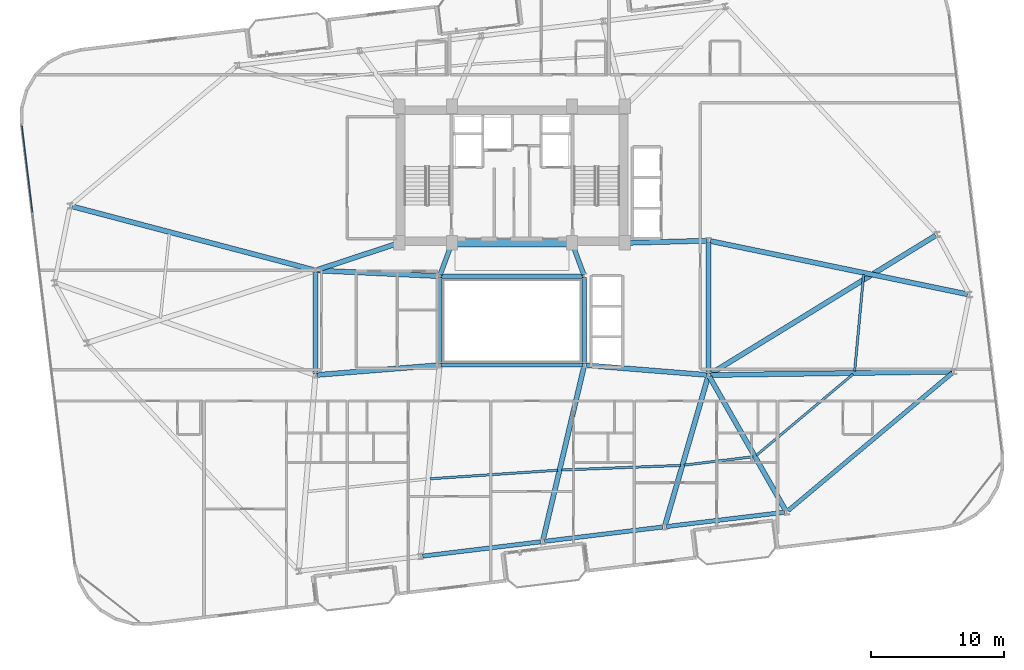
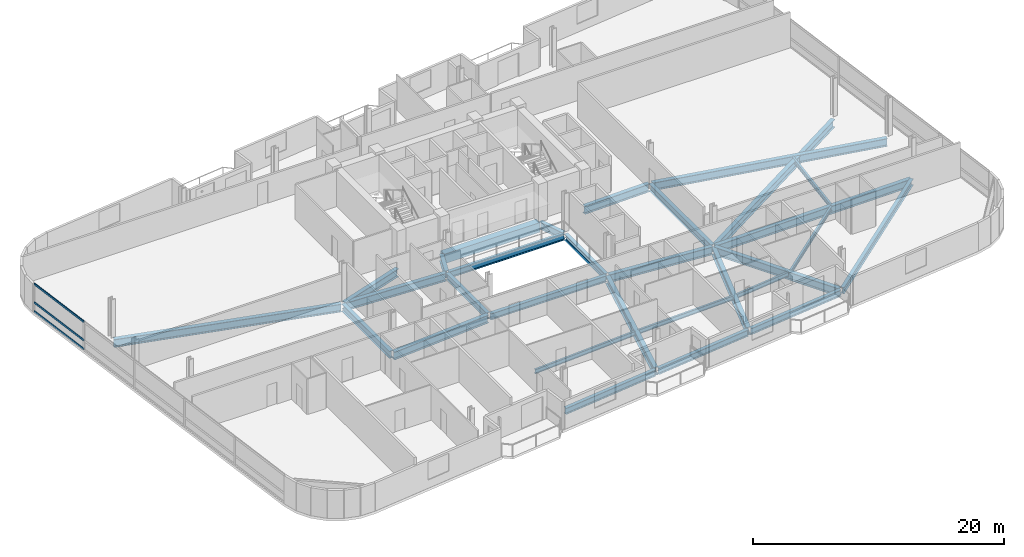
# One storey, part 7 of 24: 30 beams, 3 members, 1 element without a shape of its own.
"""IFC4 building model written with IfcOpenShell, lengths in metres."""

import ifcopenshell
import ifcopenshell.guid

model = None  # the IFC model being written
_history = None  # IfcOwnerHistory: only IFC2X3 demands one
_inside = {}  # id of a spatial element -> (the spatial element, [elements in it])
_under = {}  # id of a project, library or spatial element -> (it, [spatial elements below it])
_declared = {}  # id of a project -> (the project, [libraries it declares])
_typed = {}  # id of a type object -> (the type object, [elements of that type])
_made_of = {}  # id of a material, layer set ... -> (it, [elements and type objects made of it])


def new_model(schema):
    """Start an empty IFC model of exactly this schema.

    Asked for "IFC4X3", IfcOpenShell would pick the latest addendum, in which some entities
    have other attributes; the version numbers below select the first issue.
    IFC2X3 requires an IfcOwnerHistory on every rooted entity: one is made here for all.
    """
    global model, _history
    if schema == "IFC4X3":
        model = ifcopenshell.file(schema_version=(4, 3, 0, 0))
    else:
        model = ifcopenshell.file(schema=schema)
    _inside.clear()
    _under.clear()
    _declared.clear()
    _typed.clear()
    _made_of.clear()
    _history = None
    if model.schema == "IFC2X3":
        org = make("IfcOrganization", Name="unknown")
        user = make(
            "IfcPersonAndOrganization",
            ThePerson=make("IfcPerson", FamilyName="unknown"),
            TheOrganization=org,
        )
        app = make(
            "IfcApplication",
            ApplicationDeveloper=org,
            Version="unknown",
            ApplicationFullName="unknown",
            ApplicationIdentifier="unknown",
        )
        _history = make(
            "IfcOwnerHistory",
            OwningUser=user,
            OwningApplication=app,
            ChangeAction="ADDED",
            CreationDate=0,
        )
    return model


def make(cls, **values):
    """One entity of the class cls with the attributes given. An attribute that is None is left unset."""
    return model.create_entity(
        cls, **{name: value for name, value in values.items() if value is not None}
    )


def rooted(cls, **values):
    """An entity with a GlobalId (a new one), such as an element, a storey or a relation."""
    return make(cls, GlobalId=ifcopenshell.guid.new(), OwnerHistory=_history, **values)


def si_unit(unit_type, name, prefix=None):
    """IfcSIUnit, for example si_unit("LENGTHUNIT", "METRE", prefix="MILLI")."""
    return make("IfcSIUnit", UnitType=unit_type, Prefix=prefix, Name=name)


def assignment(units):
    """IfcUnitAssignment: the units of a project."""
    return None if units is None else make("IfcUnitAssignment", Units=units)


def point(xyz):
    """IfcCartesianPoint."""
    return None if xyz is None else make("IfcCartesianPoint", Coordinates=xyz)


def direction(xyz):
    """IfcDirection."""
    return None if xyz is None else make("IfcDirection", DirectionRatios=xyz)


def frame(location, z_axis=None, x_axis=None):
    """IfcAxis2Placement3D, a coordinate frame: its origin and axes. An axis left out is left unset."""
    return make(
        "IfcAxis2Placement3D",
        Location=point(location),
        Axis=direction(z_axis),
        RefDirection=direction(x_axis),
    )


def frame_2d(location, x_axis=None):
    """IfcAxis2Placement2D, a coordinate frame in the plane: its origin and x axis."""
    return make(
        "IfcAxis2Placement2D", Location=point(location), RefDirection=direction(x_axis)
    )


def origin():
    """The frame at (0, 0, 0) with its axes left unset."""
    return frame((0.0, 0.0, 0.0))


def origin_2d():
    """The frame at (0, 0) in the plane with its x axis left unset."""
    return frame_2d((0.0, 0.0))


def place(relative_to, where):
    """IfcLocalPlacement: puts the frame where relative to a parent placement (None: the world)."""
    return make(
        "IfcLocalPlacement", PlacementRelTo=relative_to, RelativePlacement=where
    )


def context(
    kind, dimensions, precision=None, world=None, true_north=None, identifier=None
):
    """IfcGeometricRepresentationContext, for example the 3D "Model" context."""
    return make(
        "IfcGeometricRepresentationContext",
        ContextIdentifier=identifier,
        ContextType=kind,
        CoordinateSpaceDimension=dimensions,
        Precision=precision,
        WorldCoordinateSystem=world,
        TrueNorth=true_north,
    )


def subcontext(parent, identifier, kind, view, scale=None):
    """IfcGeometricRepresentationSubContext, for example "Body" below "Model"."""
    return make(
        "IfcGeometricRepresentationSubContext",
        ContextIdentifier=identifier,
        ContextType=kind,
        ParentContext=parent,
        TargetScale=scale,
        TargetView=view,
    )


def project(units=None, contexts=None):
    """IfcProject with its units and contexts."""
    return rooted(
        "IfcProject",
        Name="project",
        RepresentationContexts=contexts,
        UnitsInContext=assignment(units),
    )


def spatial(cls, under=None, at=None, **own):
    """A site, building, storey or space (cls), placed at a placement, below another one or the project."""
    s = rooted(cls, ObjectPlacement=at, **own)
    if under is not None:
        _under.setdefault(under.id(), (under, []))[1].append(s)
    return s


def profile(cls, at=None, kind="AREA", **sizes):
    """A parametric profile (cls). Its sizes go by their IFC names, for example OverallWidth=200.0."""
    return make(cls, ProfileType=kind, Position=at, **sizes)


def rectangle(**sizes):
    """IfcRectangleProfileDef."""
    return profile("IfcRectangleProfileDef", **sizes)


def hollow_rectangle(**sizes):
    """IfcRectangleHollowProfileDef."""
    return profile("IfcRectangleHollowProfileDef", **sizes)


def i_section(**sizes):
    """IfcIShapeProfileDef."""
    return profile("IfcIShapeProfileDef", **sizes)


def extrude(swept, where, along, depth):
    """IfcExtrudedAreaSolid: the profile swept, set in the frame where, extruded along a direction by depth."""
    return make(
        "IfcExtrudedAreaSolid",
        SweptArea=swept,
        Position=where,
        ExtrudedDirection=direction(along),
        Depth=depth,
    )


def shape(context_of_items, identifier, shape_type, items):
    """IfcShapeRepresentation: the items that make up one representation, for example the "Body"."""
    return make(
        "IfcShapeRepresentation",
        ContextOfItems=context_of_items,
        RepresentationIdentifier=identifier,
        RepresentationType=shape_type,
        Items=items,
    )


def material(Name=None, Category=None):
    """IfcMaterial."""
    return make("IfcMaterial", Name=Name, Category=Category)


def layer(
    of_material, thickness, ventilated=None, Name=None, Category=None, Priority=None
):
    """IfcMaterialLayer: one layer of a wall or slab, of a material (None: an air gap)."""
    return make(
        "IfcMaterialLayer",
        Material=of_material,
        LayerThickness=thickness,
        IsVentilated=ventilated,
        Name=Name,
        Category=Category,
        Priority=Priority,
    )


def layer_set(layers, Name=None):
    """IfcMaterialLayerSet."""
    return make("IfcMaterialLayerSet", MaterialLayers=layers, LayerSetName=Name)


def material_profile(
    of_material, cross_section, Name=None, Category=None, Priority=None
):
    """IfcMaterialProfile: a cross section and its material."""
    return make(
        "IfcMaterialProfile",
        Name=Name,
        Material=of_material,
        Profile=cross_section,
        Priority=Priority,
        Category=Category,
    )


def profile_set(profiles, Name=None, composite=None):
    """IfcMaterialProfileSet."""
    return make(
        "IfcMaterialProfileSet",
        Name=Name,
        MaterialProfiles=profiles,
        CompositeProfile=composite,
    )


def made_of(thing, what):
    """Note that an element or type object is made of a material, layer set ...; save() writes the relation."""
    if what is not None:
        _made_of.setdefault(what.id(), (what, []))[1].append(thing)
    return thing


def type_object(cls, material=None, **own):
    """A type object (cls), such as IfcWallType, which elements share."""
    return made_of(rooted(cls, **own), material)


def element(
    cls,
    number,
    at=None,
    inside=None,
    cuts=None,
    type_object=None,
    material=None,
    context=None,
    identifier="Body",
    shape_type=None,
    held_by="IfcProductDefinitionShape",
    body=None,
    shapes=None,
    **own,
):
    """One element of the class cls, such as IfcWall. Its Tag is "e" and its number.

    at: its placement. inside: the storey or other place that contains it. cuts: it is an
    opening in that element (IfcRelVoidsElement). A single representation is given by context,
    identifier, shape_type and body (its items); several are given by shapes. held_by: the class
    of the entity that holds the representations. save() writes the other relations.
    """
    e = rooted(cls, Tag="e%d" % number, ObjectPlacement=at, **own)
    if body is not None:
        shapes = [shape(context, identifier, shape_type, body)]
    if shapes is not None:
        e.Representation = make(held_by, Representations=shapes)
    if inside is not None:
        _inside.setdefault(inside.id(), (inside, []))[1].append(e)
    if cuts is not None:
        rooted(
            "IfcRelVoidsElement", RelatingBuildingElement=cuts, RelatedOpeningElement=e
        )
    if type_object is not None:
        _typed.setdefault(type_object.id(), (type_object, []))[1].append(e)
    return made_of(e, material)


def aggregate(whole, parts):
    """IfcRelAggregates: a whole, such as a stair, and the parts it consists of."""
    return rooted("IfcRelAggregates", RelatingObject=whole, RelatedObjects=parts)


def save(model, path):
    """Write the relations noted so far, then the file.

    IfcRelAggregates (storeys below a building ...), IfcRelContainedInSpatialStructure (elements
    in a storey), IfcRelDefinesByType, IfcRelAssociatesMaterial and IfcRelDeclares: one each for
    every whole, place, type object, material and project.
    """
    for whole, parts in _under.values():
        aggregate(whole, parts)
    for where, things in _inside.values():
        rooted(
            "IfcRelContainedInSpatialStructure",
            RelatedElements=things,
            RelatingStructure=where,
        )
    for kind, things in _typed.values():
        rooted("IfcRelDefinesByType", RelatedObjects=things, RelatingType=kind)
    for what, things in _made_of.values():
        rooted("IfcRelAssociatesMaterial", RelatedObjects=things, RelatingMaterial=what)
    for by, libraries in _declared.values():
        rooted("IfcRelDeclares", RelatingContext=by, RelatedDefinitions=libraries)
    model.write(path)


model = new_model("IFC4")

# Units and contexts
model_context = context("Model", 3, precision=1e-05, world=origin(), true_north=direction((0.0, 1.0)))
body_context = subcontext(model_context, "Body", "Model", "MODEL_VIEW")
ifc_project = project(units=[si_unit("LENGTHUNIT", "METRE"), si_unit("AREAUNIT", "SQUARE_METRE"), si_unit("VOLUMEUNIT", "CUBIC_METRE"), si_unit("PLANEANGLEUNIT", "RADIAN"), si_unit("MASSUNIT", "GRAM", prefix="KILO")], contexts=[model_context])

# Site, building, storey
site_placement = place(None, origin())
site = spatial("IfcSite", under=ifc_project, at=site_placement, CompositionType="ELEMENT")
building_placement = place(site_placement, origin())
building = spatial("IfcBuilding", under=site, at=building_placement, Name="Varnelok Gate Tower", CompositionType="ELEMENT")
storey_placement = place(building_placement, frame((0.0, 0.0, 167.199951171875)))
storey = spatial("IfcBuildingStorey", under=building, at=storey_placement, Name="L42", CompositionType="ELEMENT", Elevation=167.199951171875)

# Beams
ifc_material_1 = material(Name="Structural Steel ASTM A992 Grade 50", Category="steel")
ifc_material_profile_1 = material_profile(ifc_material_1, i_section(OverallWidth=0.180908203125, OverallDepth=0.4169921875, WebThickness=0.010986328125, FlangeThickness=0.018310546875, FilletRadius=0.013916015625, at=origin_2d()), Name="W16X57")
ifc_profile_set_1 = profile_set([ifc_material_profile_1], Name="Structural Steel ASTM A992 Grade 50")
beam_type_1 = type_object("IfcBeamType", Name="BM-JST-W16X57", PredefinedType="JOIST", material=ifc_profile_set_1)
beam_1_placement = place(storey_placement, frame((33.0419921875, 10.989013671875, -0.45849609375), z_axis=(0.997758352588, 0.066919876282, 0.0), x_axis=(-0.066919876282, 0.997758352588, 0.0)))
element("IfcBeam", 1, at=beam_1_placement, inside=storey, type_object=beam_type_1, Name="L42 Sector Floor Joist 2", PredefinedType="JOIST", context=body_context, shape_type="SweptSolid", body=[
    extrude(i_section(OverallWidth=0.180908203125, OverallDepth=0.4169921875, WebThickness=0.010986328125, FlangeThickness=0.018310546875, FilletRadius=0.013916015625, at=origin_2d()), origin(), (0.0, 0.0, 1.0), 9.620361328125),
])
beam_2_placement = place(storey_placement, frame((42.92041015625, 11.6474609375, -0.45849609375), z_axis=(0.999248872436, 0.038751657184, 0.0), x_axis=(-0.038751657184, 0.999248872436, 0.0)))
element("IfcBeam", 2, at=beam_2_placement, inside=storey, type_object=beam_type_1, Name="L42 Sector Floor Joist 3", PredefinedType="JOIST", context=body_context, shape_type="SweptSolid", body=[
    extrude(i_section(OverallWidth=0.180908203125, OverallDepth=0.4169921875, WebThickness=0.010986328125, FlangeThickness=0.018310546875, FilletRadius=0.013916015625, at=origin_2d()), origin(), (0.0, 0.0, 1.0), 8.977783203125),
])
beam_3_placement = place(storey_placement, frame((52.170166015625, 12.017578125, -0.45849609375), z_axis=(0.99273192091, 0.120346720792, 0.0), x_axis=(-0.120346720792, 0.99273192091, 0.0)))
element("IfcBeam", 3, at=beam_3_placement, inside=storey, type_object=beam_type_1, Name="L42 Sector Floor Joist 4", PredefinedType="JOIST", context=body_context, shape_type="SweptSolid", body=[
    extrude(i_section(OverallWidth=0.180908203125, OverallDepth=0.4169921875, WebThickness=0.010986328125, FlangeThickness=0.018310546875, FilletRadius=0.013916015625, at=origin_2d()), origin(), (0.0, 0.0, 1.0), 5.223876953125),
])
beam_4_placement = place(storey_placement, frame((57.602294921875, 12.7529296875, -0.45849609375), z_axis=(0.766087132605, 0.642736730908, 0.0), x_axis=(-0.642736730908, 0.766087132605, 0.0)))
element("IfcBeam", 4, at=beam_4_placement, inside=storey, type_object=beam_type_1, Name="L42 Sector Floor Joist 5", PredefinedType="JOIST", context=body_context, shape_type="SweptSolid", body=[
    extrude(i_section(OverallWidth=0.180908203125, OverallDepth=0.4169921875, WebThickness=0.010986328125, FlangeThickness=0.018310546875, FilletRadius=0.013916015625, at=origin_2d()), origin(), (0.0, 0.0, 1.0), 9.50830078125),
])
beam_5_placement = place(storey_placement, frame((65.006591796875, 19.09375, -0.45849609375), z_axis=(0.092459859055, 0.995716412672, 0.0), x_axis=(-0.995716412672, 0.092459859055, 0.0)))
element("IfcBeam", 5, at=beam_5_placement, inside=storey, type_object=beam_type_1, Name="L42 Sector Floor Joist 6", PredefinedType="JOIST", context=body_context, shape_type="SweptSolid", body=[
    extrude(i_section(OverallWidth=0.180908203125, OverallDepth=0.4169921875, WebThickness=0.010986328125, FlangeThickness=0.018310546875, FilletRadius=0.013916015625, at=origin_2d()), origin(), (0.0, 0.0, 1.0), 7.29833984375),
])
ifc_material_2 = material(Name="Concrete C60/75", Category="concrete")
ifc_material_profile_2 = material_profile(ifc_material_2, rectangle(XDim=0.60009765625, YDim=0.949951171875, at=origin_2d()), Name="RC950X600")
ifc_profile_set_2 = profile_set([ifc_material_profile_2], Name="Concrete C60/75")
beam_type_2 = type_object("IfcBeamType", Name="BM-LNT-RC950", PredefinedType="LINTEL", material=ifc_profile_set_2)
beam_6_placement = place(storey_placement, frame((34.800048828125, 28.75, -0.724853515625), z_axis=(1.0, 0.0, 0.0), x_axis=(0.0, 1.0, 0.0)))
element("IfcBeam", 6, at=beam_6_placement, inside=storey, type_object=beam_type_2, Name="L42 Core-Atrium Spine Beam 7", PredefinedType="LINTEL", context=body_context, shape_type="SweptSolid", body=[
    extrude(rectangle(XDim=0.60009765625, YDim=0.949951171875, at=origin_2d()), origin(), (0.0, 0.0, 1.0), 8.800048828125),
])
ifc_material_profile_3 = material_profile(ifc_material_1, i_section(OverallWidth=0.35498046875, OverallDepth=0.696044921875, WebThickness=0.015380859375, FlangeThickness=0.02490234375, FilletRadius=0.02001953125, at=origin_2d()), Name="W27X146")
ifc_profile_set_3 = profile_set([ifc_material_profile_3], Name="Structural Steel ASTM A992 Grade 50")
beam_type_3 = type_object("IfcBeamType", Name="BM-PRI-W27X146", PredefinedType="BEAM", material=ifc_profile_set_3)
for number, where, z_axis, x_axis, name in (
    (7, (33.791748046875, 26.362548828125, -0.597900390625), (0.348719329408, 0.937227202602, 0.0), (-0.937227202602, 0.348719329408, 0.0), "L42 Core-Atrium Spine Beam 12"),
    (8, (44.608154296875, 26.362548828125, -0.597900390625), (-0.348719329408, 0.937227202602, 0.0), (-0.937227202602, -0.348719329408, 0.0), "L42 Core-Atrium Spine Beam 13"),
):
    element("IfcBeam", number, at=place(storey_placement, frame(where, z_axis=z_axis, x_axis=x_axis)), inside=storey, type_object=beam_type_3, Name=name, PredefinedType="BEAM", context=body_context, shape_type="SweptSolid", body=[
        extrude(i_section(OverallWidth=0.35498046875, OverallDepth=0.696044921875, WebThickness=0.015380859375, FlangeThickness=0.02490234375, FilletRadius=0.02001953125, at=origin_2d()), origin(), (0.0, 0.0, 1.0), 2.42724609375),
    ])
beam_7_placement = place(storey_placement, frame((24.39990234375, 18.919921875, -0.597900390625), z_axis=(0.0, 1.0, 0.0), x_axis=(-1.0, 0.0, 0.0)))
element("IfcBeam", 9, at=beam_7_placement, inside=storey, type_object=beam_type_3, Name="L42 Core-Atrium Spine Beam 16", PredefinedType="BEAM", context=body_context, shape_type="SweptSolid", body=[
    extrude(i_section(OverallWidth=0.35498046875, OverallDepth=0.696044921875, WebThickness=0.015380859375, FlangeThickness=0.02490234375, FilletRadius=0.02001953125, at=origin_2d()), origin(), (0.0, 0.0, 1.0), 7.64013671875),
])
beam_8_placement = place(storey_placement, frame((54.0, 18.919921875, -0.597900390625), z_axis=(0.0, 1.0, 0.0), x_axis=(-1.0, 0.0, 0.0)))
element("IfcBeam", 10, at=beam_8_placement, inside=storey, type_object=beam_type_3, Name="L42 Core-Atrium Spine Beam 20", PredefinedType="BEAM", context=body_context, shape_type="SweptSolid", body=[
    extrude(i_section(OverallWidth=0.35498046875, OverallDepth=0.696044921875, WebThickness=0.015380859375, FlangeThickness=0.02490234375, FilletRadius=0.02001953125, at=origin_2d()), origin(), (0.0, 0.0, 1.0), 9.880126953125),
])
ifc_material_profile_4 = material_profile(ifc_material_1, i_section(OverallWidth=0.381103515625, OverallDepth=0.77294921875, WebThickness=0.0166015625, FlangeThickness=0.027099609375, FilletRadius=0.02197265625, at=origin_2d()), Name="W30X173")
ifc_profile_set_4 = profile_set([ifc_material_profile_4], Name="Structural Steel ASTM A992 Grade 50")
beam_type_4 = type_object("IfcBeamType", Name="BM-PRI-W30X173", PredefinedType="BEAM", material=ifc_profile_set_4)
beam_9_placement = place(storey_placement, frame((24.51953125, 18.8095703125, -0.636474609375), z_axis=(0.996799206292, 0.07994587128, 0.0), x_axis=(-0.07994587128, 0.996799206292, 0.0)))
element("IfcBeam", 11, at=beam_9_placement, inside=storey, type_object=beam_type_4, Name="L42 Core-Atrium Spine Beam 14", PredefinedType="BEAM", context=body_context, shape_type="SweptSolid", body=[
    extrude(i_section(OverallWidth=0.381103515625, OverallDepth=0.77294921875, WebThickness=0.0166015625, FlangeThickness=0.027099609375, FilletRadius=0.02197265625, at=origin_2d()), origin(), (0.0, 0.0, 1.0), 9.14013671875),
])
beam_10_placement = place(storey_placement, frame((24.52001953125, 26.674560546875, -0.636474609375), z_axis=(0.99894427814, -0.045938319209, 0.0), x_axis=(0.045938319209, 0.99894427814, 0.0)))
element("IfcBeam", 12, at=beam_10_placement, inside=storey, type_object=beam_type_4, Name="L42 Core-Atrium Spine Beam 15", PredefinedType="BEAM", context=body_context, shape_type="SweptSolid", body=[
    extrude(i_section(OverallWidth=0.381103515625, OverallDepth=0.77294921875, WebThickness=0.0166015625, FlangeThickness=0.027099609375, FilletRadius=0.02197265625, at=origin_2d()), origin(), (0.0, 0.0, 1.0), 9.11962890625),
])
beam_11_placement = place(storey_placement, frame((24.513916015625, 26.717529296875, -0.636474609375), z_axis=(0.950041943788, 0.312122259768, 0.0), x_axis=(-0.312122259768, 0.950041943788, 0.0)))
element("IfcBeam", 13, at=beam_11_placement, inside=storey, type_object=beam_type_4, Name="L42 Core-Atrium Spine Beam 17", PredefinedType="BEAM", context=body_context, shape_type="SweptSolid", body=[
    extrude(i_section(OverallWidth=0.381103515625, OverallDepth=0.77294921875, WebThickness=0.0166015625, FlangeThickness=0.027099609375, FilletRadius=0.02197265625, at=origin_2d()), origin(), (0.0, 0.0, 1.0), 6.391357421875),
])
beam_12_placement = place(storey_placement, frame((44.76953125, 19.540283203125, -0.636474609375), z_axis=(0.996799206292, -0.07994587128, 0.0), x_axis=(0.07994587128, 0.996799206292, 0.0)))
element("IfcBeam", 14, at=beam_12_placement, inside=storey, type_object=beam_type_4, Name="L42 Core-Atrium Spine Beam 18", PredefinedType="BEAM", context=body_context, shape_type="SweptSolid", body=[
    extrude(i_section(OverallWidth=0.381103515625, OverallDepth=0.77294921875, WebThickness=0.0166015625, FlangeThickness=0.027099609375, FilletRadius=0.02197265625, at=origin_2d()), origin(), (0.0, 0.0, 1.0), 9.14013671875),
])
beam_13_placement = place(storey_placement, frame((47.820068359375, 28.753173828125, -0.636474609375), z_axis=(0.999635880609, 0.026983443053, 0.0), x_axis=(-0.026983443053, 0.999635880609, 0.0)))
element("IfcBeam", 15, at=beam_13_placement, inside=storey, type_object=beam_type_4, Name="L42 Core-Atrium Spine Beam 19", PredefinedType="BEAM", context=body_context, shape_type="SweptSolid", body=[
    extrude(i_section(OverallWidth=0.381103515625, OverallDepth=0.77294921875, WebThickness=0.0166015625, FlangeThickness=0.027099609375, FilletRadius=0.02197265625, at=origin_2d()), origin(), (0.0, 0.0, 1.0), 6.06201171875),
])
beam_14_placement = place(storey_placement, frame((44.615478515625, 19.404052734375, -0.636474609375), z_axis=(-0.230051892852, -0.973178363197, 0.0), x_axis=(0.973178363197, -0.230051892852, 0.0)))
element("IfcBeam", 16, at=beam_14_placement, inside=storey, type_object=beam_type_4, Name="L42 Radial Floor Girder 3", PredefinedType="BEAM", context=body_context, shape_type="SweptSolid", body=[
    extrude(i_section(OverallWidth=0.381103515625, OverallDepth=0.77294921875, WebThickness=0.0166015625, FlangeThickness=0.027099609375, FilletRadius=0.02197265625, at=origin_2d()), origin(), (0.0, 0.0, 1.0), 13.356689453125),
])
beam_15_placement = place(storey_placement, frame((53.958251953125, 18.656005859375, -0.636474609375), z_axis=(-0.278139351158, -0.960540733825, 0.0), x_axis=(0.960540733825, -0.278139351158, 0.0)))
element("IfcBeam", 17, at=beam_15_placement, inside=storey, type_object=beam_type_4, Name="L42 Radial Floor Girder 4", PredefinedType="BEAM", context=body_context, shape_type="SweptSolid", body=[
    extrude(i_section(OverallWidth=0.381103515625, OverallDepth=0.77294921875, WebThickness=0.0166015625, FlangeThickness=0.027099609375, FilletRadius=0.02197265625, at=origin_2d()), origin(), (0.0, 0.0, 1.0), 11.596923828125),
])
beam_16_placement = place(storey_placement, frame((54.07421875, 18.669677734375, -0.636474609375), z_axis=(0.494868053933, -0.868968128988, 0.0), x_axis=(0.868968128988, 0.494868053933, 0.0)))
element("IfcBeam", 18, at=beam_16_placement, inside=storey, type_object=beam_type_4, Name="L42 Radial Floor Girder 5", PredefinedType="BEAM", context=body_context, shape_type="SweptSolid", body=[
    extrude(i_section(OverallWidth=0.381103515625, OverallDepth=0.77294921875, WebThickness=0.0166015625, FlangeThickness=0.027099609375, FilletRadius=0.02197265625, at=origin_2d()), origin(), (0.0, 0.0, 1.0), 11.5693359375),
])
beam_17_placement = place(storey_placement, frame((54.14990234375, 18.802001953125, -0.636474609375), z_axis=(0.999901514109, 0.014034318056, 0.0), x_axis=(-0.014034318056, 0.999901514109, 0.0)))
element("IfcBeam", 19, at=beam_17_placement, inside=storey, type_object=beam_type_4, Name="L42 Radial Floor Girder 6", PredefinedType="BEAM", context=body_context, shape_type="SweptSolid", body=[
    extrude(i_section(OverallWidth=0.381103515625, OverallDepth=0.77294921875, WebThickness=0.0166015625, FlangeThickness=0.027099609375, FilletRadius=0.02197265625, at=origin_2d()), origin(), (0.0, 0.0, 1.0), 18.1787109375),
])
beam_18_placement = place(storey_placement, frame((54.14697265625, 28.8896484375, -0.636474609375), z_axis=(0.979255265667, -0.202630512665, 0.0), x_axis=(0.202630512665, 0.979255265667, 0.0)))
element("IfcBeam", 20, at=beam_18_placement, inside=storey, type_object=beam_type_4, Name="L42 Radial Floor Girder 7", PredefinedType="BEAM", context=body_context, shape_type="SweptSolid", body=[
    extrude(i_section(OverallWidth=0.381103515625, OverallDepth=0.77294921875, WebThickness=0.0166015625, FlangeThickness=0.027099609375, FilletRadius=0.02197265625, at=origin_2d()), origin(), (0.0, 0.0, 1.0), 19.7705078125),
])
beam_19_placement = place(storey_placement, frame((54.127685546875, 18.87841796875, -0.636474609375), z_axis=(0.852014595228, 0.523518031703, 0.0), x_axis=(-0.523518031703, 0.852014595228, 0.0)))
element("IfcBeam", 21, at=beam_19_placement, inside=storey, type_object=beam_type_4, Name="L42 Radial Floor Girder 8", PredefinedType="BEAM", context=body_context, shape_type="SweptSolid", body=[
    extrude(i_section(OverallWidth=0.381103515625, OverallDepth=0.77294921875, WebThickness=0.0166015625, FlangeThickness=0.027099609375, FilletRadius=0.02197265625, at=origin_2d()), origin(), (0.0, 0.0, 1.0), 19.917236328125),
])
beam_20_placement = place(storey_placement, frame((24.2548828125, 26.71826171875, -0.636474609375), z_axis=(-0.967098244451, 0.254403194908, 0.0), x_axis=(-0.254403194908, -0.967098244451, 0.0)))
element("IfcBeam", 22, at=beam_20_placement, inside=storey, type_object=beam_type_4, Name="L42 Radial Floor Girder 14", PredefinedType="BEAM", context=body_context, shape_type="SweptSolid", body=[
    extrude(i_section(OverallWidth=0.381103515625, OverallDepth=0.77294921875, WebThickness=0.0166015625, FlangeThickness=0.027099609375, FilletRadius=0.02197265625, at=origin_2d()), origin(), (0.0, 0.0, 1.0), 18.805419921875),
])
ifc_material_profile_5 = material_profile(ifc_material_1, i_section(OverallWidth=0.323974609375, OverallDepth=0.611083984375, WebThickness=0.0126953125, FlangeThickness=0.01904296875, FilletRadius=0.01806640625, at=origin_2d()), Name="W24X104")
ifc_profile_set_5 = profile_set([ifc_material_profile_5], Name="Structural Steel ASTM A992 Grade 50")
beam_type_5 = type_object("IfcBeamType", Name="BM-SPN-W24X104", PredefinedType="SPANDREL", material=ifc_profile_set_5)
for number, where, z_axis, x_axis, name in (
    (23, (33.8701171875, 19.550048828125, -0.555419921875), (1.0, 0.0, 0.0), (0.0, 1.0, 0.0), "L42 Core-Atrium Spine Beam 8"),
    (24, (33.8701171875, 26.25, -0.555419921875), (1.0, 0.0, 0.0), (0.0, 1.0, 0.0), "L42 Core-Atrium Spine Beam 9"),
):
    element("IfcBeam", number, at=place(storey_placement, frame(where, z_axis=z_axis, x_axis=x_axis)), inside=storey, type_object=beam_type_5, Name=name, PredefinedType="SPANDREL", context=body_context, shape_type="SweptSolid", body=[
        extrude(i_section(OverallWidth=0.323974609375, OverallDepth=0.611083984375, WebThickness=0.0126953125, FlangeThickness=0.01904296875, FilletRadius=0.01806640625, at=origin_2d()), origin(), (0.0, 0.0, 1.0), 10.659912109375),
    ])
for number, where, z_axis, x_axis, name in (
    (25, (33.75, 19.669921875, -0.555419921875), (0.0, 1.0, 0.0), (-1.0, 0.0, 0.0), "L42 Core-Atrium Spine Beam 10"),
    (26, (44.64990234375, 19.669921875, -0.555419921875), (0.0, 1.0, 0.0), (-1.0, 0.0, 0.0), "L42 Core-Atrium Spine Beam 11"),
):
    element("IfcBeam", number, at=place(storey_placement, frame(where, z_axis=z_axis, x_axis=x_axis)), inside=storey, type_object=beam_type_5, Name=name, PredefinedType="SPANDREL", context=body_context, shape_type="SweptSolid", body=[
        extrude(i_section(OverallWidth=0.323974609375, OverallDepth=0.611083984375, WebThickness=0.0126953125, FlangeThickness=0.01904296875, FilletRadius=0.01806640625, at=origin_2d()), origin(), (0.0, 0.0, 1.0), 6.4599609375),
    ])
for number, where, z_axis, x_axis, name in (
    (27, (32.474365234375, 5.164306640625, -0.555419921875), (0.992734670707, 0.120324035735, 0.0), (-0.120324035735, 0.992734670707, 0.0), "L42 Perimeter Spandrel Beam 2"),
    (28, (41.656982421875, 6.277587890625, -0.555419921875), (0.992734670707, 0.120324035735, 0.0), (-0.120324035735, 0.992734670707, 0.0), "L42 Perimeter Spandrel Beam 3"),
    (29, (50.83984375, 7.390625, -0.555419921875), (0.99273141198, 0.120350918849, 0.0), (-0.120350918849, 0.99273141198, 0.0), "L42 Perimeter Spandrel Beam 4"),
):
    element("IfcBeam", number, at=place(storey_placement, frame(where, z_axis=z_axis, x_axis=x_axis)), inside=storey, type_object=beam_type_5, Name=name, PredefinedType="SPANDREL", context=body_context, shape_type="SweptSolid", body=[
        extrude(i_section(OverallWidth=0.323974609375, OverallDepth=0.611083984375, WebThickness=0.0126953125, FlangeThickness=0.01904296875, FilletRadius=0.01806640625, at=origin_2d()), origin(), (0.0, 0.0, 1.0), 8.949951171875),
    ])
beam_21_placement = place(storey_placement, frame((59.98876953125, 8.582275390625, -0.555419921875), z_axis=(0.766099582792, 0.642721891059, 0.0), x_axis=(-0.642721891059, 0.766099582792, 0.0)))
element("IfcBeam", 30, at=beam_21_placement, inside=storey, type_object=beam_type_5, Name="L42 Perimeter Spandrel Beam 5", PredefinedType="SPANDREL", context=body_context, shape_type="SweptSolid", body=[
    extrude(i_section(OverallWidth=0.323974609375, OverallDepth=0.611083984375, WebThickness=0.0126953125, FlangeThickness=0.01904296875, FilletRadius=0.01806640625, at=origin_2d()), origin(), (0.0, 0.0, 1.0), 16.151123046875),
])

# Curtain wall, members
ifc_material_3 = material(Name="Anodized Aluminum Alloy 6063-T6", Category="aluminium")
ifc_layer = layer(ifc_material_3, 0.179931640625)
ifc_layer_set = layer_set([ifc_layer], Name="Anodized Aluminum Alloy 6063-T6")
curtain_wall_type = type_object("IfcCurtainWallType", Name="CW4-RESIDENCE-VISION", PredefinedType="USERDEFINED", material=ifc_layer_set)
curtain_wall_placement = place(storey_placement, origin())
curtain_wall = element("IfcCurtainWall", 31, at=curtain_wall_placement, inside=storey, type_object=curtain_wall_type, Name="L42 West End Vision Curtain Wall", ObjectType="UNITISED CURTAIN WALL", PredefinedType="USERDEFINED")
ifc_material_profile_6 = material_profile(ifc_material_3, hollow_rectangle(XDim=0.074951171875, YDim=0.199951171875, WallThickness=0.00390625, at=origin_2d()), Name="ALU200X75X4")
ifc_profile_set_6 = profile_set([ifc_material_profile_6], Name="Anodized Aluminum Alloy 6063-T6")
member_type = type_object("IfcMemberType", Name="CW-TRAN-200", PredefinedType="USERDEFINED", material=ifc_profile_set_6)
member_1_placement = place(storey_placement, frame((3.085205078125, 31.052978515625, 0.03759765625), z_axis=(-0.120332477695, 0.992733647466, 0.0), x_axis=(-0.992733647466, -0.120332477695, 0.0)))
member_1 = element("IfcMember", 32, at=member_1_placement, type_object=member_type, Name="CW4 transom 5.1", ObjectType="TRANSOM", PredefinedType="USERDEFINED", context=body_context, shape_type="SweptSolid", body=[
    extrude(hollow_rectangle(XDim=0.074951171875, YDim=0.199951171875, WallThickness=0.00390625, at=origin_2d()), origin(), (0.0, 0.0, 1.0), 6.5673828125),
])
member_2_placement = place(storey_placement, frame((3.085205078125, 31.052978515625, 0.900146484375), z_axis=(-0.120332477695, 0.992733647466, 0.0), x_axis=(-0.992733647466, -0.120332477695, 0.0)))
member_2 = element("IfcMember", 33, at=member_2_placement, type_object=member_type, Name="CW4 transom 5.2", ObjectType="TRANSOM", PredefinedType="USERDEFINED", context=body_context, shape_type="SweptSolid", body=[
    extrude(hollow_rectangle(XDim=0.074951171875, YDim=0.199951171875, WallThickness=0.00390625, at=origin_2d()), origin(), (0.0, 0.0, 1.0), 6.5673828125),
])
member_3_placement = place(storey_placement, frame((3.085205078125, 31.052978515625, 2.692626953125), z_axis=(-0.120332477695, 0.992733647466, 0.0), x_axis=(-0.992733647466, -0.120332477695, 0.0)))
member_3 = element("IfcMember", 34, at=member_3_placement, type_object=member_type, Name="CW4 transom 5.3", ObjectType="TRANSOM", PredefinedType="USERDEFINED", context=body_context, shape_type="SweptSolid", body=[
    extrude(hollow_rectangle(XDim=0.074951171875, YDim=0.199951171875, WallThickness=0.00390625, at=origin_2d()), origin(), (0.0, 0.0, 1.0), 6.5673828125),
])
aggregate(curtain_wall, [member_1, member_2, member_3])

save(model, "model.ifc")
